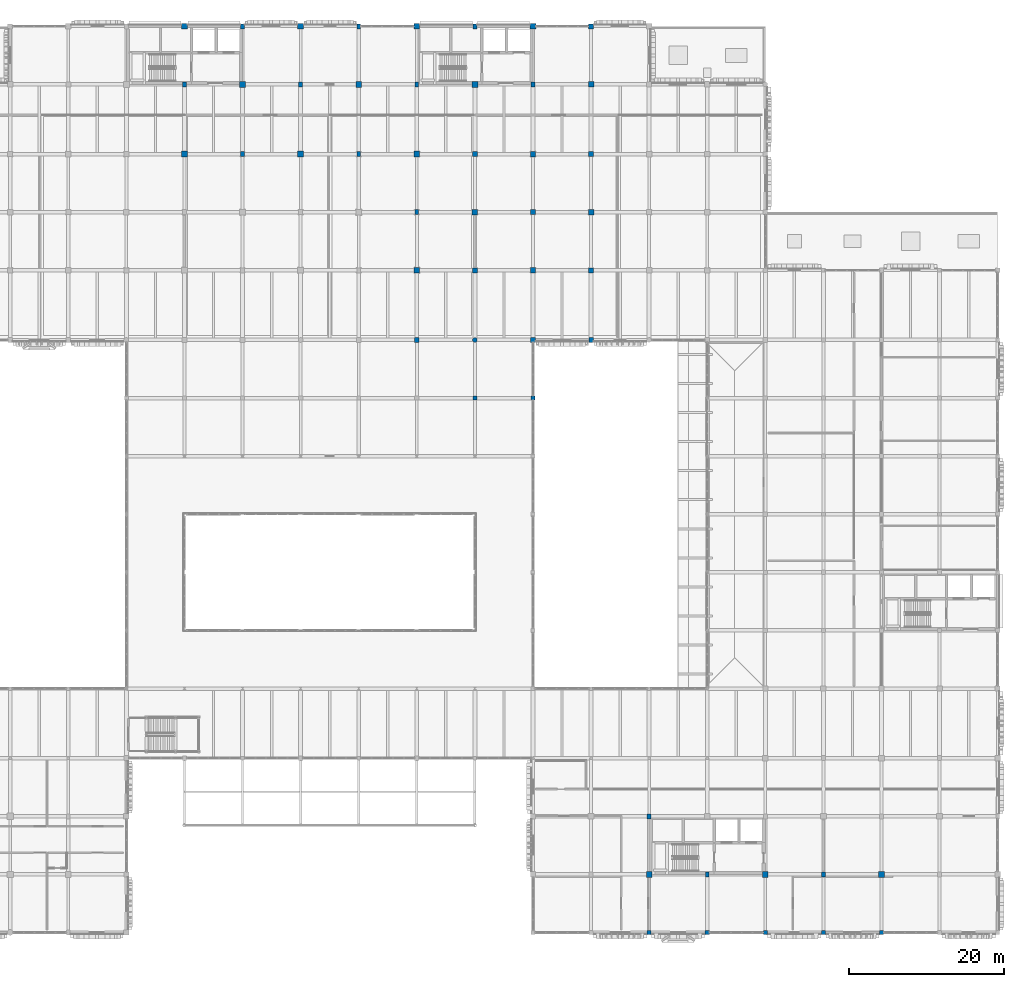
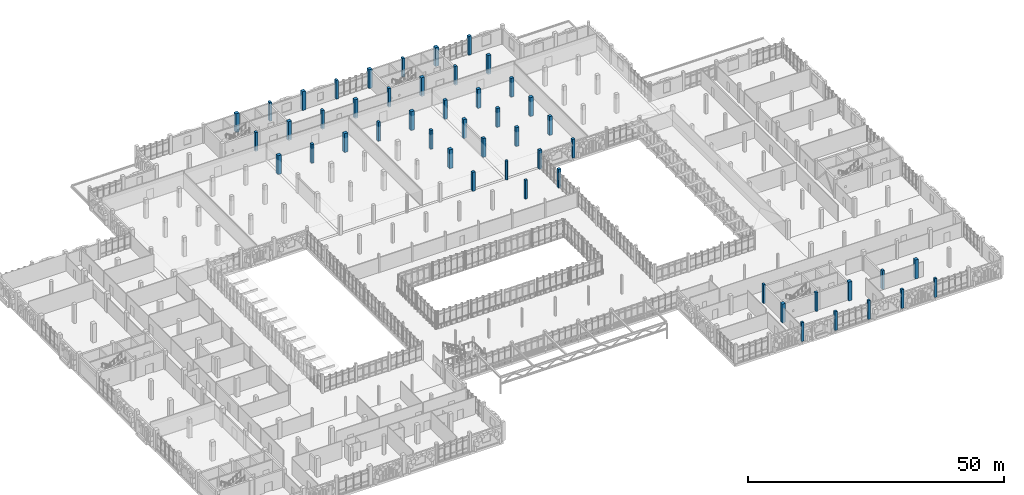
# One storey, part 10 of 128: 49 columns.
"""IFC4 building model written with IfcOpenShell, lengths in metres."""

import ifcopenshell
import ifcopenshell.guid

model = None  # the IFC model being written
_history = None  # IfcOwnerHistory: only IFC2X3 demands one
_inside = {}  # id of a spatial element -> (the spatial element, [elements in it])
_under = {}  # id of a project, library or spatial element -> (it, [spatial elements below it])
_declared = {}  # id of a project -> (the project, [libraries it declares])
_typed = {}  # id of a type object -> (the type object, [elements of that type])
_made_of = {}  # id of a material, layer set ... -> (it, [elements and type objects made of it])


def new_model(schema):
    """Start an empty IFC model of exactly this schema.

    Asked for "IFC4X3", IfcOpenShell would pick the latest addendum, in which some entities
    have other attributes; the version numbers below select the first issue.
    IFC2X3 requires an IfcOwnerHistory on every rooted entity: one is made here for all.
    """
    global model, _history
    if schema == "IFC4X3":
        model = ifcopenshell.file(schema_version=(4, 3, 0, 0))
    else:
        model = ifcopenshell.file(schema=schema)
    _inside.clear()
    _under.clear()
    _declared.clear()
    _typed.clear()
    _made_of.clear()
    _history = None
    if model.schema == "IFC2X3":
        org = make("IfcOrganization", Name="unknown")
        user = make(
            "IfcPersonAndOrganization",
            ThePerson=make("IfcPerson", FamilyName="unknown"),
            TheOrganization=org,
        )
        app = make(
            "IfcApplication",
            ApplicationDeveloper=org,
            Version="unknown",
            ApplicationFullName="unknown",
            ApplicationIdentifier="unknown",
        )
        _history = make(
            "IfcOwnerHistory",
            OwningUser=user,
            OwningApplication=app,
            ChangeAction="ADDED",
            CreationDate=0,
        )
    return model


def make(cls, **values):
    """One entity of the class cls with the attributes given. An attribute that is None is left unset."""
    return model.create_entity(
        cls, **{name: value for name, value in values.items() if value is not None}
    )


def rooted(cls, **values):
    """An entity with a GlobalId (a new one), such as an element, a storey or a relation."""
    return make(cls, GlobalId=ifcopenshell.guid.new(), OwnerHistory=_history, **values)


def si_unit(unit_type, name, prefix=None):
    """IfcSIUnit, for example si_unit("LENGTHUNIT", "METRE", prefix="MILLI")."""
    return make("IfcSIUnit", UnitType=unit_type, Prefix=prefix, Name=name)


def assignment(units):
    """IfcUnitAssignment: the units of a project."""
    return None if units is None else make("IfcUnitAssignment", Units=units)


def point(xyz):
    """IfcCartesianPoint."""
    return None if xyz is None else make("IfcCartesianPoint", Coordinates=xyz)


def direction(xyz):
    """IfcDirection."""
    return None if xyz is None else make("IfcDirection", DirectionRatios=xyz)


def frame(location, z_axis=None, x_axis=None):
    """IfcAxis2Placement3D, a coordinate frame: its origin and axes. An axis left out is left unset."""
    return make(
        "IfcAxis2Placement3D",
        Location=point(location),
        Axis=direction(z_axis),
        RefDirection=direction(x_axis),
    )


def frame_2d(location, x_axis=None):
    """IfcAxis2Placement2D, a coordinate frame in the plane: its origin and x axis."""
    return make(
        "IfcAxis2Placement2D", Location=point(location), RefDirection=direction(x_axis)
    )


def origin():
    """The frame at (0, 0, 0) with its axes left unset."""
    return frame((0.0, 0.0, 0.0))


def origin_2d():
    """The frame at (0, 0) in the plane with its x axis left unset."""
    return frame_2d((0.0, 0.0))


def place(relative_to, where):
    """IfcLocalPlacement: puts the frame where relative to a parent placement (None: the world)."""
    return make(
        "IfcLocalPlacement", PlacementRelTo=relative_to, RelativePlacement=where
    )


def context(
    kind, dimensions, precision=None, world=None, true_north=None, identifier=None
):
    """IfcGeometricRepresentationContext, for example the 3D "Model" context."""
    return make(
        "IfcGeometricRepresentationContext",
        ContextIdentifier=identifier,
        ContextType=kind,
        CoordinateSpaceDimension=dimensions,
        Precision=precision,
        WorldCoordinateSystem=world,
        TrueNorth=true_north,
    )


def subcontext(parent, identifier, kind, view, scale=None):
    """IfcGeometricRepresentationSubContext, for example "Body" below "Model"."""
    return make(
        "IfcGeometricRepresentationSubContext",
        ContextIdentifier=identifier,
        ContextType=kind,
        ParentContext=parent,
        TargetScale=scale,
        TargetView=view,
    )


def project(units=None, contexts=None):
    """IfcProject with its units and contexts."""
    return rooted(
        "IfcProject",
        Name="project",
        RepresentationContexts=contexts,
        UnitsInContext=assignment(units),
    )


def spatial(cls, under=None, at=None, **own):
    """A site, building, storey or space (cls), placed at a placement, below another one or the project."""
    s = rooted(cls, ObjectPlacement=at, **own)
    if under is not None:
        _under.setdefault(under.id(), (under, []))[1].append(s)
    return s


def profile(cls, at=None, kind="AREA", **sizes):
    """A parametric profile (cls). Its sizes go by their IFC names, for example OverallWidth=200.0."""
    return make(cls, ProfileType=kind, Position=at, **sizes)


def rectangle(**sizes):
    """IfcRectangleProfileDef."""
    return profile("IfcRectangleProfileDef", **sizes)


def circle(**sizes):
    """IfcCircleProfileDef."""
    return profile("IfcCircleProfileDef", **sizes)


def extrude(swept, where, along, depth):
    """IfcExtrudedAreaSolid: the profile swept, set in the frame where, extruded along a direction by depth."""
    return make(
        "IfcExtrudedAreaSolid",
        SweptArea=swept,
        Position=where,
        ExtrudedDirection=direction(along),
        Depth=depth,
    )


def shape(context_of_items, identifier, shape_type, items):
    """IfcShapeRepresentation: the items that make up one representation, for example the "Body"."""
    return make(
        "IfcShapeRepresentation",
        ContextOfItems=context_of_items,
        RepresentationIdentifier=identifier,
        RepresentationType=shape_type,
        Items=items,
    )


def material(Name=None, Category=None):
    """IfcMaterial."""
    return make("IfcMaterial", Name=Name, Category=Category)


def material_profile(
    of_material, cross_section, Name=None, Category=None, Priority=None
):
    """IfcMaterialProfile: a cross section and its material."""
    return make(
        "IfcMaterialProfile",
        Name=Name,
        Material=of_material,
        Profile=cross_section,
        Priority=Priority,
        Category=Category,
    )


def profile_set(profiles, Name=None, composite=None):
    """IfcMaterialProfileSet."""
    return make(
        "IfcMaterialProfileSet",
        Name=Name,
        MaterialProfiles=profiles,
        CompositeProfile=composite,
    )


def made_of(thing, what):
    """Note that an element or type object is made of a material, layer set ...; save() writes the relation."""
    if what is not None:
        _made_of.setdefault(what.id(), (what, []))[1].append(thing)
    return thing


def type_object(cls, material=None, **own):
    """A type object (cls), such as IfcWallType, which elements share."""
    return made_of(rooted(cls, **own), material)


def element(
    cls,
    number,
    at=None,
    inside=None,
    cuts=None,
    type_object=None,
    material=None,
    context=None,
    identifier="Body",
    shape_type=None,
    held_by="IfcProductDefinitionShape",
    body=None,
    shapes=None,
    **own,
):
    """One element of the class cls, such as IfcWall. Its Tag is "e" and its number.

    at: its placement. inside: the storey or other place that contains it. cuts: it is an
    opening in that element (IfcRelVoidsElement). A single representation is given by context,
    identifier, shape_type and body (its items); several are given by shapes. held_by: the class
    of the entity that holds the representations. save() writes the other relations.
    """
    e = rooted(cls, Tag="e%d" % number, ObjectPlacement=at, **own)
    if body is not None:
        shapes = [shape(context, identifier, shape_type, body)]
    if shapes is not None:
        e.Representation = make(held_by, Representations=shapes)
    if inside is not None:
        _inside.setdefault(inside.id(), (inside, []))[1].append(e)
    if cuts is not None:
        rooted(
            "IfcRelVoidsElement", RelatingBuildingElement=cuts, RelatedOpeningElement=e
        )
    if type_object is not None:
        _typed.setdefault(type_object.id(), (type_object, []))[1].append(e)
    return made_of(e, material)


def aggregate(whole, parts):
    """IfcRelAggregates: a whole, such as a stair, and the parts it consists of."""
    return rooted("IfcRelAggregates", RelatingObject=whole, RelatedObjects=parts)


def save(model, path):
    """Write the relations noted so far, then the file.

    IfcRelAggregates (storeys below a building ...), IfcRelContainedInSpatialStructure (elements
    in a storey), IfcRelDefinesByType, IfcRelAssociatesMaterial and IfcRelDeclares: one each for
    every whole, place, type object, material and project.
    """
    for whole, parts in _under.values():
        aggregate(whole, parts)
    for where, things in _inside.values():
        rooted(
            "IfcRelContainedInSpatialStructure",
            RelatedElements=things,
            RelatingStructure=where,
        )
    for kind, things in _typed.values():
        rooted("IfcRelDefinesByType", RelatedObjects=things, RelatingType=kind)
    for what, things in _made_of.values():
        rooted("IfcRelAssociatesMaterial", RelatedObjects=things, RelatingMaterial=what)
    for by, libraries in _declared.values():
        rooted("IfcRelDeclares", RelatingContext=by, RelatedDefinitions=libraries)
    model.write(path)


model = new_model("IFC4")

# Units and contexts
model_context = context("Model", 3, precision=1e-05, world=origin(), true_north=direction((0.0, 1.0)))
body_context = subcontext(model_context, "Body", "Model", "MODEL_VIEW")
ifc_project = project(units=[si_unit("LENGTHUNIT", "METRE"), si_unit("AREAUNIT", "SQUARE_METRE"), si_unit("VOLUMEUNIT", "CUBIC_METRE"), si_unit("PLANEANGLEUNIT", "RADIAN"), si_unit("MASSUNIT", "GRAM", prefix="KILO")], contexts=[model_context])

# Site, building, storey
site_placement = place(None, origin())
site = spatial("IfcSite", under=ifc_project, at=site_placement, CompositionType="ELEMENT")
building_placement = place(site_placement, origin())
building = spatial("IfcBuilding", under=site, at=building_placement, Name="Dalvernix Boulevard General Hospital", CompositionType="ELEMENT")
storey_placement = place(building_placement, frame((0.0, 0.0, 4.800048828125)))
storey = spatial("IfcBuildingStorey", under=building, at=storey_placement, Name="L01", CompositionType="ELEMENT", Elevation=4.800048828125)

# Columns
ifc_material = material(Name="Concrete C40/50", Category="concrete")
ifc_material_profile_1 = material_profile(ifc_material, rectangle(XDim=0.75, YDim=0.75, at=origin_2d()), Name="RC 750x750")
ifc_profile_set_1 = profile_set([ifc_material_profile_1], Name="Concrete C40/50")
column_type_1 = type_object("IfcColumnType", Name="COL-C-04-E", PredefinedType="COLUMN", material=ifc_profile_set_1)
for number, where, z_axis, x_axis, name in (
    (1, (67.5, 117.0, 0.0), (0.0, 0.0, 1.0), (1.0, 0.0, 0.0), "L01 column 10R"),
    (2, (82.5, 117.0, 0.0), (0.0, 0.0, 1.0), (1.0, 0.0, 0.0), "L01 column 12R"),
    (3, (97.5, 117.0, 0.0), (0.0, 0.0, 1.0), (1.0, 0.0, 0.0), "L01 column 14R"),
    (4, (112.5, 117.0, 0.0), (0.0, 0.0, 1.0), (1.0, 0.0, 0.0), "L01 column 16R"),
):
    element("IfcColumn", number, at=place(storey_placement, frame(where, z_axis=z_axis, x_axis=x_axis)), inside=storey, type_object=column_type_1, Name=name, PredefinedType="COLUMN", context=body_context, shape_type="SweptSolid", body=[
        extrude(rectangle(XDim=0.75, YDim=0.75, at=origin_2d()), origin(), (0.0, 0.0, 1.0), 4.5),
    ])
ifc_material_profile_2 = material_profile(ifc_material, rectangle(XDim=0.75, YDim=0.75, at=origin_2d()), Name="RC 750x750")
ifc_profile_set_2 = profile_set([ifc_material_profile_2], Name="Concrete C40/50")
column_type_2 = type_object("IfcColumnType", Name="COL-C-04-I", PredefinedType="COLUMN", material=ifc_profile_set_2)
for number, where, z_axis, x_axis, name in (
    (5, (67.5, 100.5, 0.0), (0.0, 0.0, 1.0), (1.0, 0.0, 0.0), "L01 column 10P"),
    (6, (75.0, 109.5, 0.0), (0.0, 0.0, 1.0), (1.0, 0.0, 0.0), "L01 column 11Q"),
    (7, (82.5, 100.5, 0.0), (0.0, 0.0, 1.0), (1.0, 0.0, 0.0), "L01 column 12P"),
    (8, (90.0, 109.5, 0.0), (0.0, 0.0, 1.0), (1.0, 0.0, 0.0), "L01 column 13Q"),
    (9, (97.5, 85.5, 0.0), (0.0, 0.0, 1.0), (1.0, 0.0, 0.0), "L01 column 14M"),
    (10, (97.5, 100.5, 0.0), (0.0, 0.0, 1.0), (1.0, 0.0, 0.0), "L01 column 14P"),
    (11, (105.0, 109.5, 0.0), (0.0, 0.0, 1.0), (1.0, 0.0, 0.0), "L01 column 15Q"),
    (12, (127.5, 7.5, 0.0), (0.0, 0.0, 1.0), (1.0, 0.0, 0.0), "L01 column 18B"),
    (13, (142.5, 7.5, 0.0), (0.0, 0.0, 1.0), (1.0, 0.0, 0.0), "L01 column 20B"),
    (14, (157.5, 7.5, 0.0), (0.0, 0.0, 1.0), (1.0, 0.0, 0.0), "L01 column 22B"),
):
    element("IfcColumn", number, at=place(storey_placement, frame(where, z_axis=z_axis, x_axis=x_axis)), inside=storey, type_object=column_type_2, Name=name, PredefinedType="COLUMN", context=body_context, shape_type="SweptSolid", body=[
        extrude(rectangle(XDim=0.75, YDim=0.75, at=origin_2d()), origin(), (0.0, 0.0, 1.0), 4.5),
    ])
ifc_material_profile_3 = material_profile(ifc_material, rectangle(XDim=0.699951171875, YDim=0.699951171875, at=origin_2d()), Name="RC 700x700")
ifc_profile_set_3 = profile_set([ifc_material_profile_3], Name="Concrete C40/50")
column_type_3 = type_object("IfcColumnType", Name="COL-C-05-I", PredefinedType="COLUMN", material=ifc_profile_set_3)
for number, where, z_axis, x_axis, name in (
    (15, (105.0, 93.0, 0.0), (0.0, 0.0, 1.0), (1.0, 0.0, 0.0), "L01 column 15N"),
    (16, (112.5, 85.5, 0.0), (0.0, 0.0, 1.0), (1.0, 0.0, 0.0), "L01 column 16M"),
    (17, (112.5, 100.5, 0.0), (0.0, 0.0, 1.0), (1.0, 0.0, 0.0), "L01 column 16P"),
    (18, (120.0, 93.0, 0.0), (0.0, 0.0, 1.0), (1.0, 0.0, 0.0), "L01 column 17N"),
    (19, (120.0, 109.5, 0.0), (0.0, 0.0, 1.0), (1.0, 0.0, 0.0), "L01 column 17Q"),
):
    element("IfcColumn", number, at=place(storey_placement, frame(where, z_axis=z_axis, x_axis=x_axis)), inside=storey, type_object=column_type_3, Name=name, PredefinedType="COLUMN", context=body_context, shape_type="SweptSolid", body=[
        extrude(rectangle(XDim=0.699951171875, YDim=0.699951171875, at=origin_2d()), origin(), (0.0, 0.0, 1.0), 4.5),
    ])
ifc_material_profile_4 = material_profile(ifc_material, rectangle(XDim=0.64990234375, YDim=0.64990234375, at=origin_2d()), Name="RC 650x650")
ifc_profile_set_4 = profile_set([ifc_material_profile_4], Name="Concrete C40/50")
column_type_4 = type_object("IfcColumnType", Name="COL-C-06-E", PredefinedType="COLUMN", material=ifc_profile_set_4)
column_1_placement = place(storey_placement, frame((120.0, 117.0, 0.0), z_axis=(0.0, 0.0, 1.0), x_axis=(1.0, 0.0, 0.0)))
element("IfcColumn", 20, at=column_1_placement, inside=storey, type_object=column_type_4, Name="L01 column 17R", PredefinedType="COLUMN", context=body_context, shape_type="SweptSolid", body=[
    extrude(rectangle(XDim=0.64990234375, YDim=0.64990234375, at=origin_2d()), origin(), (0.0, 0.0, 1.0), 4.5),
])
ifc_material_profile_5 = material_profile(ifc_material, rectangle(XDim=0.64990234375, YDim=0.64990234375, at=origin_2d()), Name="RC 650x650")
ifc_profile_set_5 = profile_set([ifc_material_profile_5], Name="Concrete C40/50")
column_type_5 = type_object("IfcColumnType", Name="COL-C-06-I", PredefinedType="COLUMN", material=ifc_profile_set_5)
for number, where, z_axis, x_axis, name in (
    (21, (105.0, 85.5, 0.0), (0.0, 0.0, 1.0), (1.0, 0.0, 0.0), "L01 column 15M"),
    (22, (105.0, 100.5, 0.0), (0.0, 0.0, 1.0), (1.0, 0.0, 0.0), "L01 column 15P"),
    (23, (112.5, 93.0, 0.0), (0.0, 0.0, 1.0), (1.0, 0.0, 0.0), "L01 column 16N"),
    (24, (120.0, 85.5, 0.0), (0.0, 0.0, 1.0), (1.0, 0.0, 0.0), "L01 column 17M"),
    (25, (120.0, 100.5, 0.0), (0.0, 0.0, 1.0), (1.0, 0.0, 0.0), "L01 column 17P"),
):
    element("IfcColumn", number, at=place(storey_placement, frame(where, z_axis=z_axis, x_axis=x_axis)), inside=storey, type_object=column_type_5, Name=name, PredefinedType="COLUMN", context=body_context, shape_type="SweptSolid", body=[
        extrude(rectangle(XDim=0.64990234375, YDim=0.64990234375, at=origin_2d()), origin(), (0.0, 0.0, 1.0), 4.5),
    ])
ifc_material_profile_6 = material_profile(ifc_material, rectangle(XDim=0.60009765625, YDim=0.60009765625, at=origin_2d()), Name="RC 600x600")
ifc_profile_set_6 = profile_set([ifc_material_profile_6], Name="Concrete C40/50")
column_type_6 = type_object("IfcColumnType", Name="COL-C-07-E", PredefinedType="COLUMN", material=ifc_profile_set_6)
for number, where, z_axis, x_axis, name in (
    (26, (112.5, 76.5, 0.0), (0.0, 0.0, 1.0), (1.0, 0.0, 0.0), "L01 column 16L"),
    (27, (120.0, 76.5, 0.0), (0.0, 0.0, 1.0), (1.0, 0.0, 0.0), "L01 column 17L"),
):
    element("IfcColumn", number, at=place(storey_placement, frame(where, z_axis=z_axis, x_axis=x_axis)), inside=storey, type_object=column_type_6, Name=name, PredefinedType="COLUMN", context=body_context, shape_type="SweptSolid", body=[
        extrude(rectangle(XDim=0.60009765625, YDim=0.60009765625, at=origin_2d()), origin(), (0.0, 0.0, 1.0), 4.5),
    ])
ifc_material_profile_7 = material_profile(ifc_material, rectangle(XDim=0.60009765625, YDim=0.60009765625, at=origin_2d()), Name="RC 600x600")
ifc_profile_set_7 = profile_set([ifc_material_profile_7], Name="Concrete C40/50")
column_type_7 = type_object("IfcColumnType", Name="COL-C-07-I", PredefinedType="COLUMN", material=ifc_profile_set_7)
column_2_placement = place(storey_placement, frame((97.5, 76.5, 0.0), z_axis=(0.0, 0.0, 1.0), x_axis=(1.0, 0.0, 0.0)))
element("IfcColumn", 28, at=column_2_placement, inside=storey, type_object=column_type_7, Name="L01 column 14L", PredefinedType="COLUMN", context=body_context, shape_type="SweptSolid", body=[
    extrude(rectangle(XDim=0.60009765625, YDim=0.60009765625, at=origin_2d()), origin(), (0.0, 0.0, 1.0), 4.5),
])
ifc_material_profile_8 = material_profile(ifc_material, rectangle(XDim=0.550048828125, YDim=0.550048828125, at=origin_2d()), Name="RC 550x550")
ifc_profile_set_8 = profile_set([ifc_material_profile_8], Name="Concrete C40/50")
column_type_8 = type_object("IfcColumnType", Name="COL-C-08-E", PredefinedType="COLUMN", material=ifc_profile_set_8)
for number, where, z_axis, x_axis, name in (
    (29, (112.5, 69.0, 0.0), (0.0, 0.0, 1.0), (1.0, 0.0, 0.0), "L01 column 16K"),
    (30, (135.0, 0.0, 0.0), (0.0, 0.0, 1.0), (1.0, 0.0, 0.0), "L01 column 19A"),
    (31, (150.0, 0.0, 0.0), (0.0, 0.0, 1.0), (1.0, 0.0, 0.0), "L01 column 21A"),
):
    element("IfcColumn", number, at=place(storey_placement, frame(where, z_axis=z_axis, x_axis=x_axis)), inside=storey, type_object=column_type_8, Name=name, PredefinedType="COLUMN", context=body_context, shape_type="SweptSolid", body=[
        extrude(rectangle(XDim=0.550048828125, YDim=0.550048828125, at=origin_2d()), origin(), (0.0, 0.0, 1.0), 4.5),
    ])
ifc_material_profile_9 = material_profile(ifc_material, rectangle(XDim=0.5, YDim=0.5, at=origin_2d()), Name="RC 500x500")
ifc_profile_set_9 = profile_set([ifc_material_profile_9], Name="Concrete C40/50")
column_type_9 = type_object("IfcColumnType", Name="COL-C-09-E", PredefinedType="COLUMN", material=ifc_profile_set_9)
for number, where, z_axis, x_axis, name in (
    (32, (127.5, 0.0, 0.0), (0.0, 0.0, 1.0), (1.0, 0.0, 0.0), "L01 column 18A"),
    (33, (142.5, 0.0, 0.0), (0.0, 0.0, 1.0), (1.0, 0.0, 0.0), "L01 column 20A"),
    (34, (157.5, 0.0, 0.0), (0.0, 0.0, 1.0), (1.0, 0.0, 0.0), "L01 column 22A"),
):
    element("IfcColumn", number, at=place(storey_placement, frame(where, z_axis=z_axis, x_axis=x_axis)), inside=storey, type_object=column_type_9, Name=name, PredefinedType="COLUMN", context=body_context, shape_type="SweptSolid", body=[
        extrude(rectangle(XDim=0.5, YDim=0.5, at=origin_2d()), origin(), (0.0, 0.0, 1.0), 4.5),
    ])
ifc_material_profile_10 = material_profile(ifc_material, rectangle(XDim=0.5, YDim=0.5, at=origin_2d()), Name="RC 500x500")
ifc_profile_set_10 = profile_set([ifc_material_profile_10], Name="Concrete C40/50")
column_type_10 = type_object("IfcColumnType", Name="COL-C-09-I", PredefinedType="COLUMN", material=ifc_profile_set_10)
column_3_placement = place(storey_placement, frame((105.0, 69.0, 0.0), z_axis=(0.0, 0.0, 1.0), x_axis=(1.0, 0.0, 0.0)))
element("IfcColumn", 35, at=column_3_placement, inside=storey, type_object=column_type_10, Name="L01 column 15K", PredefinedType="COLUMN", context=body_context, shape_type="SweptSolid", body=[
    extrude(rectangle(XDim=0.5, YDim=0.5, at=origin_2d()), origin(), (0.0, 0.0, 1.0), 4.5),
])
ifc_material_profile_11 = material_profile(ifc_material, rectangle(XDim=0.5, YDim=0.64990234375, at=origin_2d()), Name="RC 500x650")
ifc_profile_set_11 = profile_set([ifc_material_profile_11], Name="Concrete C40/50")
column_type_11 = type_object("IfcColumnType", Name="COL-C-12-E", PredefinedType="COLUMN", material=ifc_profile_set_11)
for number, where, z_axis, x_axis, name in (
    (36, (75.0, 117.0, 0.0), (0.0, 0.0, 1.0), (1.0, 0.0, 0.0), "L01 column 11R"),
    (37, (90.0, 117.0, 0.0), (0.0, 0.0, 1.0), (1.0, 0.0, 0.0), "L01 column 13R"),
    (38, (105.0, 117.0, 0.0), (0.0, 0.0, 1.0), (1.0, 0.0, 0.0), "L01 column 15R"),
):
    element("IfcColumn", number, at=place(storey_placement, frame(where, z_axis=z_axis, x_axis=x_axis)), inside=storey, type_object=column_type_11, Name=name, PredefinedType="COLUMN", context=body_context, shape_type="SweptSolid", body=[
        extrude(rectangle(XDim=0.5, YDim=0.64990234375, at=origin_2d()), origin(), (0.0, 0.0, 1.0), 4.5),
    ])
ifc_material_profile_12 = material_profile(ifc_material, rectangle(XDim=0.5, YDim=0.64990234375, at=origin_2d()), Name="RC 500x650")
ifc_profile_set_12 = profile_set([ifc_material_profile_12], Name="Concrete C40/50")
column_type_12 = type_object("IfcColumnType", Name="COL-C-12-I", PredefinedType="COLUMN", material=ifc_profile_set_12)
for number, where, z_axis, x_axis, name in (
    (39, (67.5, 109.5, 0.0), (0.0, 0.0, 1.0), (1.0, 0.0, 0.0), "L01 column 10Q"),
    (40, (75.0, 100.5, 0.0), (0.0, 0.0, 1.0), (1.0, 0.0, 0.0), "L01 column 11P"),
    (41, (82.5, 109.5, 0.0), (0.0, 0.0, 1.0), (1.0, 0.0, 0.0), "L01 column 12Q"),
    (42, (90.0, 100.5, 0.0), (0.0, 0.0, 1.0), (1.0, 0.0, 0.0), "L01 column 13P"),
    (43, (97.5, 93.0, 0.0), (0.0, 0.0, 1.0), (1.0, 0.0, 0.0), "L01 column 14N"),
    (44, (97.5, 109.5, 0.0), (0.0, 0.0, 1.0), (1.0, 0.0, 0.0), "L01 column 14Q"),
    (45, (112.5, 109.5, 0.0), (0.0, 0.0, 1.0), (1.0, 0.0, 0.0), "L01 column 16Q"),
    (46, (127.5, 15.0, 0.0), (0.0, 0.0, 1.0), (1.0, 0.0, 0.0), "L01 column 18C"),
    (47, (135.0, 7.5, 0.0), (0.0, 0.0, 1.0), (1.0, 0.0, 0.0), "L01 column 19B"),
    (48, (150.0, 7.5, 0.0), (0.0, 0.0, 1.0), (1.0, 0.0, 0.0), "L01 column 21B"),
):
    element("IfcColumn", number, at=place(storey_placement, frame(where, z_axis=z_axis, x_axis=x_axis)), inside=storey, type_object=column_type_12, Name=name, PredefinedType="COLUMN", context=body_context, shape_type="SweptSolid", body=[
        extrude(rectangle(XDim=0.5, YDim=0.64990234375, at=origin_2d()), origin(), (0.0, 0.0, 1.0), 4.5),
    ])
ifc_material_profile_13 = material_profile(ifc_material, circle(Radius=0.300048828125, at=origin_2d()), Name="RC D600")
ifc_profile_set_13 = profile_set([ifc_material_profile_13], Name="Concrete C40/50")
column_type_13 = type_object("IfcColumnType", Name="COL-C-15-I", PredefinedType="COLUMN", material=ifc_profile_set_13)
column_4_placement = place(storey_placement, frame((105.0, 76.5, 0.0), z_axis=(0.0, 0.0, 1.0), x_axis=(1.0, 0.0, 0.0)))
element("IfcColumn", 49, at=column_4_placement, inside=storey, type_object=column_type_13, Name="L01 column 15L", PredefinedType="COLUMN", context=body_context, shape_type="SweptSolid", body=[
    extrude(circle(Radius=0.300048828125, at=origin_2d()), origin(), (0.0, 0.0, 1.0), 4.5),
])

save(model, "model.ifc")
